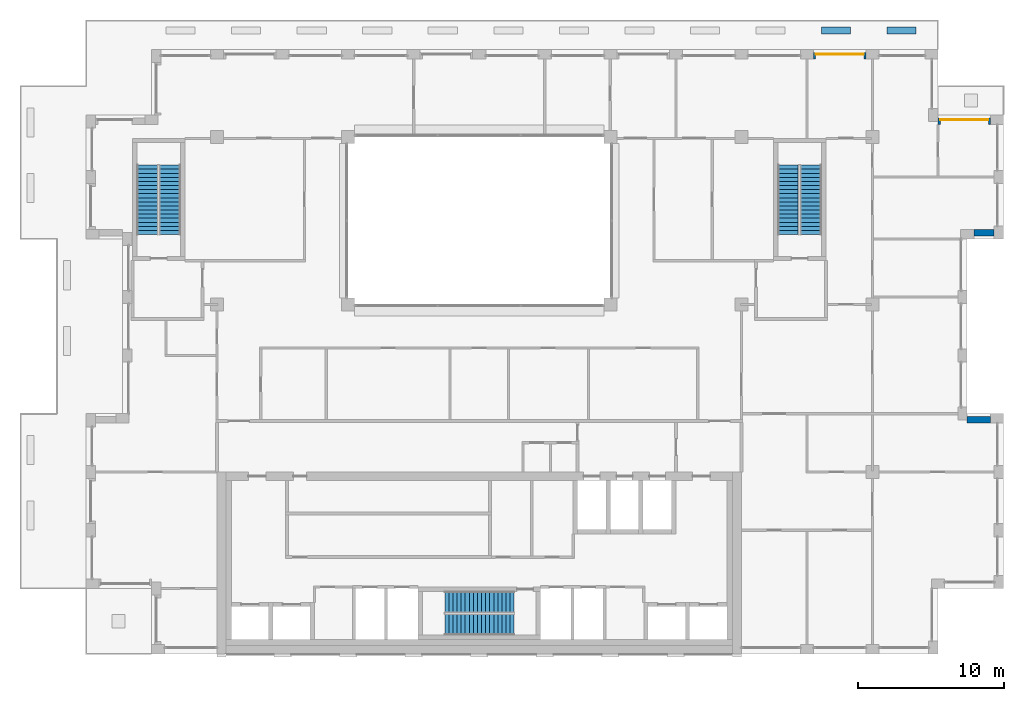
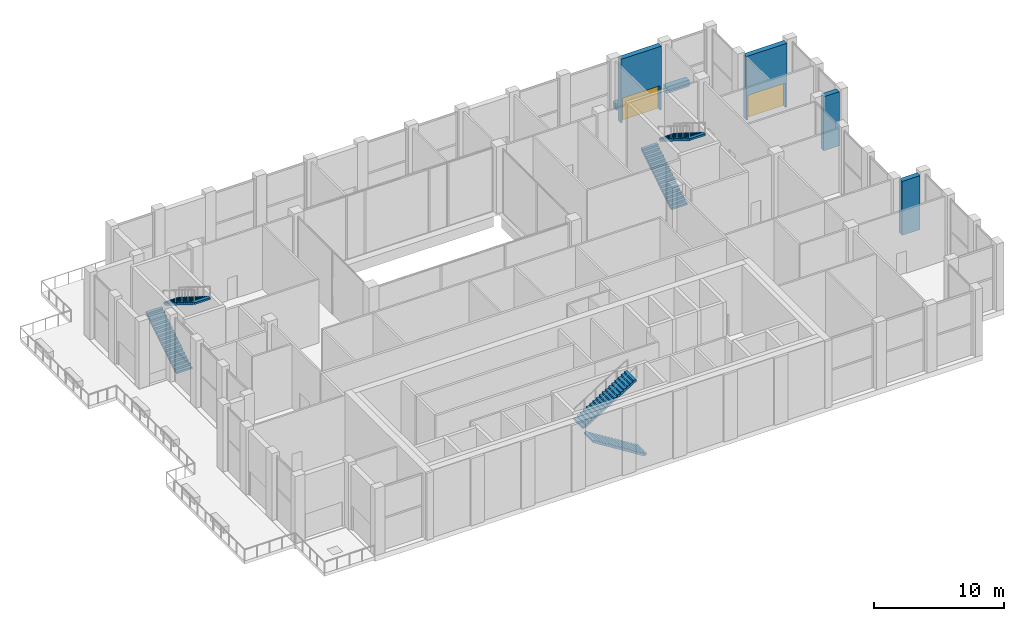
# One storey, part 16 of 18: 6 stair flights, 6 walls, 2 doors, 2 openings, 3 elements without a shape of their own.
"""IFC4 building model written with IfcOpenShell, lengths in metres."""

from ifc_helpers import new_model, si_unit, direction, frame, frame_2d, origin, place, context, subcontext, project, spatial, polyline, rectangle, outline, extrude, material, layer, layer_set, type_object, element, fill, aggregate, save


model = new_model("IFC4")

# Units and contexts
model_context = context("Model", 3, precision=1e-05, world=origin(), true_north=direction((0.0, 1.0)))
body_context = subcontext(model_context, "Body", "Model", "MODEL_VIEW")
ifc_project = project(units=[si_unit("LENGTHUNIT", "METRE"), si_unit("AREAUNIT", "SQUARE_METRE"), si_unit("VOLUMEUNIT", "CUBIC_METRE"), si_unit("PLANEANGLEUNIT", "RADIAN"), si_unit("MASSUNIT", "GRAM", prefix="KILO")], contexts=[model_context])

# Site, building, storey
site_placement = place(None, origin())
site = spatial("IfcSite", under=ifc_project, at=site_placement, CompositionType="ELEMENT")
building_placement = place(site_placement, origin())
building = spatial("IfcBuilding", under=site, at=building_placement, Name="Brigalow Station Residences", CompositionType="ELEMENT")
storey_placement = place(building_placement, frame((0.0, 0.0, 191.699951171875)))
storey = spatial("IfcBuildingStorey", under=building, at=storey_placement, Name="L55", CompositionType="ELEMENT", Elevation=191.699951171875)

# Walls
ifc_material_1 = material(Name="Clay brick masonry", Category="masonry")
ifc_layer_1 = layer(ifc_material_1, 0.449951171875)
ifc_layer_set_1 = layer_set([ifc_layer_1], Name="BRICK INFILL WALL 450")
wall_type_1 = type_object("IfcWallType", Name="BRICK INFILL WALL 450", PredefinedType="SOLIDWALL", material=ifc_layer_set_1)
wall_1_placement = place(storey_placement, frame((71.10009765625, 16.074951171875, 0.900146484375), z_axis=(0.0, 0.0, 1.0), x_axis=(-1.0, 0.0, 0.0)))
element("IfcWall", 1, at=wall_1_placement, inside=storey, type_object=wall_type_1, Name="L55/ewall/W-L55-11", PredefinedType="SOLIDWALL", context=body_context, shape_type="SweptSolid", body=[
    extrude(rectangle(XDim=1.60009765625, YDim=0.449951171875, at=frame_2d((0.800048828125, 0.0))), origin(), (0.0, 0.0, 1.0), 5.079833984375),
])
wall_2_placement = place(storey_placement, frame((69.949951171875, 28.925048828125, 0.900146484375), z_axis=(0.0, 0.0, 1.0), x_axis=(1.0, 0.0, 0.0)))
element("IfcWall", 2, at=wall_2_placement, inside=storey, type_object=wall_type_1, Name="L55/ewall/W-L55-15", PredefinedType="SOLIDWALL", context=body_context, shape_type="SweptSolid", body=[
    extrude(rectangle(XDim=1.400146484375, YDim=0.449951171875, at=frame_2d((0.7001953125, 0.0))), origin(), (0.0, 0.0, 1.0), 5.079833984375),
])

# Wall, opening, door
wall_3_placement = place(storey_placement, frame((71.10009765625, 36.574951171875, 0.0), z_axis=(0.0, 0.0, 1.0), x_axis=(-1.0, 0.0, 0.0)))
wall_3 = element("IfcWall", 3, at=wall_3_placement, inside=storey, type_object=wall_type_1, Name="L55/ewall/W-L55-18", PredefinedType="SOLIDWALL", context=body_context, shape_type="SweptSolid", body=[
    extrude(rectangle(XDim=3.60009765625, YDim=0.449951171875, at=frame_2d((1.800048828125, 0.0))), origin(), (0.0, 0.0, 1.0), 5.97998046875),
])
opening_1_placement = place(wall_3_placement, frame((0.14990234375, 0.0, 0.0)))
opening_1 = element("IfcOpeningElement", 4, at=opening_1_placement, cuts=wall_3, Name="Opening D-B3300", PredefinedType="OPENING", context=body_context, shape_type="SweptSolid", body=[
    extrude(rectangle(XDim=3.300048828125, YDim=2.300048828125, at=frame_2d((1.64990234375, 1.14990234375))), frame((0.0, 0.23486328125, 0.0), z_axis=(0.0, -1.0, 0.0), x_axis=(1.0, 0.0, 0.0)), (0.0, 0.0, 1.0), 0.469970703125),
])
ifc_material_2 = material(Name="Anodised aluminium frame with double glazing", Category="aluminium")
door_type = type_object("IfcDoorType", Name="BALCONY SLIDING DOOR 3300x2300", OperationType="SLIDING_TO_LEFT", PredefinedType="DOOR", material=ifc_material_2)
door_1_placement = place(opening_1_placement, origin())
door_1 = element("IfcDoor", 5, at=door_1_placement, inside=storey, type_object=door_type, Name="L55/balcony-door/W-L55-18", OperationType="SLIDING_TO_LEFT", OverallHeight=2.300048828125, OverallWidth=3.300048828125, PredefinedType="DOOR", context=body_context, shape_type="SweptSolid", body=[
    extrude(rectangle(XDim=3.300048828125, YDim=2.300048828125, at=frame_2d((1.64990234375, 1.14990234375))), frame((0.0, -0.06982421875, 0.0), z_axis=(0.0, -1.0, 0.0), x_axis=(1.0, 0.0, 0.0)), (0.0, 0.0, 1.0), 0.050048828125),
])
fill(opening_1, door_1)

wall_4_placement = place(storey_placement, frame((62.550048828125, 41.074951171875, 0.0), z_axis=(0.0, 0.0, 1.0), x_axis=(-1.0, 0.0, 0.0)))
wall_4 = element("IfcWall", 6, at=wall_4_placement, inside=storey, type_object=wall_type_1, Name="L55/ewall/W-L55-21", PredefinedType="SOLIDWALL", context=body_context, shape_type="SweptSolid", body=[
    extrude(rectangle(XDim=3.60009765625, YDim=0.449951171875, at=frame_2d((1.800048828125, 0.0))), origin(), (0.0, 0.0, 1.0), 5.97998046875),
])
opening_2_placement = place(wall_4_placement, frame((0.14990234375, 0.0, 0.0)))
opening_2 = element("IfcOpeningElement", 7, at=opening_2_placement, cuts=wall_4, Name="Opening D-B3300", PredefinedType="OPENING", context=body_context, shape_type="SweptSolid", body=[
    extrude(rectangle(XDim=3.300048828125, YDim=2.300048828125, at=frame_2d((1.64990234375, 1.14990234375))), frame((0.0, 0.23486328125, 0.0), z_axis=(0.0, -1.0, 0.0), x_axis=(1.0, 0.0, 0.0)), (0.0, 0.0, 1.0), 0.469970703125),
])
door_2_placement = place(opening_2_placement, origin())
door_2 = element("IfcDoor", 8, at=door_2_placement, inside=storey, type_object=door_type, Name="L55/balcony-door/W-L55-21", OperationType="SLIDING_TO_LEFT", OverallHeight=2.300048828125, OverallWidth=3.300048828125, PredefinedType="DOOR", context=body_context, shape_type="SweptSolid", body=[
    extrude(rectangle(XDim=3.300048828125, YDim=2.300048828125, at=frame_2d((1.64990234375, 1.14990234375))), frame((0.0, -0.06982421875, 0.0), z_axis=(0.0, -1.0, 0.0), x_axis=(1.0, 0.0, 0.0)), (0.0, 0.0, 1.0), 0.050048828125),
])
fill(opening_2, door_2)

# Walls
ifc_material_3 = material(Name="Concrete C50 precast", Category="concrete")
ifc_layer_2 = layer(ifc_material_3, 0.5)
ifc_layer_set_2 = layer_set([ifc_layer_2], Name="PLANTER 500x600")
wall_type_2 = type_object("IfcWallType", Name="PLANTER 500x600", PredefinedType="USERDEFINED", material=ifc_layer_set_2)
for number, where, z_axis, x_axis, name in (
    (9, (66.0, 42.800048828125, -0.0400390625), (0.0, 0.0, 1.0), (-1.0, 0.0, 0.0), "L55/planter/1-1"),
    (10, (61.5, 42.800048828125, -0.0400390625), (0.0, 0.0, 1.0), (-1.0, 0.0, 0.0), "L55/planter/1-2"),
):
    element("IfcWall", number, at=place(storey_placement, frame(where, z_axis=z_axis, x_axis=x_axis)), inside=storey, type_object=wall_type_2, Name=name, ObjectType="PLANTER", PredefinedType="USERDEFINED", context=body_context, shape_type="SweptSolid", body=[
        extrude(rectangle(XDim=2.0, YDim=0.5, at=frame_2d((1.0, 0.0))), origin(), (0.0, 0.0, 1.0), 0.60009765625),
    ])

# Stair, stair flights
ifc_material_4 = material(Name="Concrete C50", Category="concrete")
stair_type = type_object("IfcStairType", Name="EXIT STAIR 1400 2 FLIGHT", PredefinedType="HALF_TURN_STAIR", material=ifc_material_4)
stair_1_placement = place(storey_placement, origin())
stair_1 = element("IfcStair", 11, at=stair_1_placement, inside=storey, type_object=stair_type, Name="EXIT STAIR S2 L55", PredefinedType="HALF_TURN_STAIR")
ifc_material_5 = material(Name="Concrete C50", Category="concrete")
stair_flight_type = type_object("IfcStairFlightType", Name="STAIR FLIGHT 1400", PredefinedType="STRAIGHT", material=ifc_material_5)
stair_flight_1_placement = place(storey_placement, frame((38.39990234375, 2.0, 0.0), z_axis=(0.0, 0.0, 1.0), x_axis=(-1.0, 0.0, 0.0)))
stair_flight_1 = element("IfcStairFlight", 12, at=stair_flight_1_placement, type_object=stair_flight_type, Name="ST-2 flight 1", NumberOfRisers=18, NumberOfTreads=17, PredefinedType="STRAIGHT", RiserHeight=0.175, TreadLength=0.28, context=body_context, shape_type="SweptSolid", body=[
    extrude(outline(polyline([(0.0, 0.0), (0.0, 0.175048828125), (0.280029296875, 0.175048828125), (0.280029296875, 0.35009765625), (0.56005859375, 0.35009765625), (0.56005859375, 0.52490234375), (0.840087890625, 0.52490234375), (0.840087890625, 0.699951171875), (1.1201171875, 0.699951171875), (1.1201171875, 0.875), (1.39990234375, 0.875), (1.39990234375, 1.050048828125), (1.679931640625, 1.050048828125), (1.679931640625, 1.22509765625), (1.9599609375, 1.22509765625), (1.9599609375, 1.39990234375), (2.239990234375, 1.39990234375), (2.239990234375, 1.574951171875), (2.52001953125, 1.574951171875), (2.52001953125, 1.75), (2.800048828125, 1.75), (2.800048828125, 1.925048828125), (3.080078125, 1.925048828125), (3.080078125, 2.10009765625), (3.360107421875, 2.10009765625), (3.360107421875, 2.27490234375), (3.639892578125, 2.27490234375), (3.639892578125, 2.449951171875), (3.919921875, 2.449951171875), (3.919921875, 2.625), (4.199951171875, 2.625), (4.199951171875, 2.800048828125), (4.47998046875, 2.800048828125), (4.47998046875, 2.97509765625), (4.760009765625, 2.97509765625), (4.760009765625, 3.14990234375), (4.760009765625, 2.79833984375), (0.28271484375, 0.0), (0.0, 0.0)])), frame((0.0, 0.699951171875, 0.0), z_axis=(0.0, -1.0, 0.0), x_axis=(1.0, 0.0, 0.0)), (0.0, 0.0, 1.0), 1.39990234375),
])
stair_flight_2_placement = place(storey_placement, frame((33.639892578125, 3.60009765625, 3.150146484375), z_axis=(0.0, 0.0, 1.0), x_axis=(1.0, 0.0, 0.0)))
stair_flight_2 = element("IfcStairFlight", 13, at=stair_flight_2_placement, type_object=stair_flight_type, Name="ST-2 flight 2", NumberOfRisers=18, NumberOfTreads=17, PredefinedType="STRAIGHT", RiserHeight=0.175, TreadLength=0.28, context=body_context, shape_type="SweptSolid", body=[
    extrude(outline(polyline([(0.0, 0.0), (0.0, 0.175048828125), (0.280029296875, 0.175048828125), (0.280029296875, 0.35009765625), (0.56005859375, 0.35009765625), (0.56005859375, 0.52490234375), (0.840087890625, 0.52490234375), (0.840087890625, 0.699951171875), (1.1201171875, 0.699951171875), (1.1201171875, 0.875), (1.39990234375, 0.875), (1.39990234375, 1.050048828125), (1.679931640625, 1.050048828125), (1.679931640625, 1.22509765625), (1.9599609375, 1.22509765625), (1.9599609375, 1.39990234375), (2.239990234375, 1.39990234375), (2.239990234375, 1.574951171875), (2.52001953125, 1.574951171875), (2.52001953125, 1.75), (2.800048828125, 1.75), (2.800048828125, 1.925048828125), (3.080078125, 1.925048828125), (3.080078125, 2.10009765625), (3.360107421875, 2.10009765625), (3.360107421875, 2.27490234375), (3.639892578125, 2.27490234375), (3.639892578125, 2.449951171875), (3.919921875, 2.449951171875), (3.919921875, 2.625), (4.199951171875, 2.625), (4.199951171875, 2.800048828125), (4.47998046875, 2.800048828125), (4.47998046875, 2.97509765625), (4.760009765625, 2.97509765625), (4.760009765625, 3.14990234375), (4.760009765625, 2.79833984375), (0.28271484375, 0.0), (0.0, 0.0)])), frame((0.0, 0.699951171875, 0.0), z_axis=(0.0, -1.0, 0.0), x_axis=(1.0, 0.0, 0.0)), (0.0, 0.0, 1.0), 1.39990234375),
])
aggregate(stair_1, [stair_flight_1, stair_flight_2])

stair_2_placement = place(storey_placement, origin())
stair_2 = element("IfcStair", 14, at=stair_2_placement, inside=storey, type_object=stair_type, Name="EXIT STAIR S1 L55", PredefinedType="HALF_TURN_STAIR")
stair_flight_3_placement = place(storey_placement, frame((13.199951171875, 28.800048828125, 0.0), z_axis=(0.0, 0.0, 1.0), x_axis=(0.0, 1.0, 0.0)))
stair_flight_3 = element("IfcStairFlight", 15, at=stair_flight_3_placement, type_object=stair_flight_type, Name="ST-1 flight 1", NumberOfRisers=18, NumberOfTreads=17, PredefinedType="STRAIGHT", RiserHeight=0.175, TreadLength=0.28, context=body_context, shape_type="SweptSolid", body=[
    extrude(outline(polyline([(0.0, 0.0), (0.0, 0.175048828125), (0.280029296875, 0.175048828125), (0.280029296875, 0.35009765625), (0.56005859375, 0.35009765625), (0.56005859375, 0.52490234375), (0.840087890625, 0.52490234375), (0.840087890625, 0.699951171875), (1.1201171875, 0.699951171875), (1.1201171875, 0.875), (1.39990234375, 0.875), (1.39990234375, 1.050048828125), (1.679931640625, 1.050048828125), (1.679931640625, 1.22509765625), (1.9599609375, 1.22509765625), (1.9599609375, 1.39990234375), (2.239990234375, 1.39990234375), (2.239990234375, 1.574951171875), (2.52001953125, 1.574951171875), (2.52001953125, 1.75), (2.800048828125, 1.75), (2.800048828125, 1.925048828125), (3.080078125, 1.925048828125), (3.080078125, 2.10009765625), (3.360107421875, 2.10009765625), (3.360107421875, 2.27490234375), (3.639892578125, 2.27490234375), (3.639892578125, 2.449951171875), (3.919921875, 2.449951171875), (3.919921875, 2.625), (4.199951171875, 2.625), (4.199951171875, 2.800048828125), (4.47998046875, 2.800048828125), (4.47998046875, 2.97509765625), (4.760009765625, 2.97509765625), (4.760009765625, 3.14990234375), (4.760009765625, 2.79833984375), (0.28271484375, 0.0), (0.0, 0.0)])), frame((0.0, 0.699951171875, 0.0), z_axis=(0.0, -1.0, 0.0), x_axis=(1.0, 0.0, 0.0)), (0.0, 0.0, 1.0), 1.39990234375),
])
stair_flight_4_placement = place(storey_placement, frame((14.800048828125, 33.56005859375, 3.150146484375), z_axis=(0.0, 0.0, 1.0), x_axis=(0.0, -1.0, 0.0)))
stair_flight_4 = element("IfcStairFlight", 16, at=stair_flight_4_placement, type_object=stair_flight_type, Name="ST-1 flight 2", NumberOfRisers=18, NumberOfTreads=17, PredefinedType="STRAIGHT", RiserHeight=0.175, TreadLength=0.28, context=body_context, shape_type="SweptSolid", body=[
    extrude(outline(polyline([(0.0, 0.0), (0.0, 0.175048828125), (0.280029296875, 0.175048828125), (0.280029296875, 0.35009765625), (0.56005859375, 0.35009765625), (0.56005859375, 0.52490234375), (0.840087890625, 0.52490234375), (0.840087890625, 0.699951171875), (1.1201171875, 0.699951171875), (1.1201171875, 0.875), (1.39990234375, 0.875), (1.39990234375, 1.050048828125), (1.679931640625, 1.050048828125), (1.679931640625, 1.22509765625), (1.9599609375, 1.22509765625), (1.9599609375, 1.39990234375), (2.239990234375, 1.39990234375), (2.239990234375, 1.574951171875), (2.52001953125, 1.574951171875), (2.52001953125, 1.75), (2.800048828125, 1.75), (2.800048828125, 1.925048828125), (3.080078125, 1.925048828125), (3.080078125, 2.10009765625), (3.360107421875, 2.10009765625), (3.360107421875, 2.27490234375), (3.639892578125, 2.27490234375), (3.639892578125, 2.449951171875), (3.919921875, 2.449951171875), (3.919921875, 2.625), (4.199951171875, 2.625), (4.199951171875, 2.800048828125), (4.47998046875, 2.800048828125), (4.47998046875, 2.97509765625), (4.760009765625, 2.97509765625), (4.760009765625, 3.14990234375), (4.760009765625, 2.79833984375), (0.28271484375, 0.0), (0.0, 0.0)])), frame((0.0, 0.699951171875, 0.0), z_axis=(0.0, -1.0, 0.0), x_axis=(1.0, 0.0, 0.0)), (0.0, 0.0, 1.0), 1.39990234375),
])
aggregate(stair_2, [stair_flight_3, stair_flight_4])

stair_3_placement = place(storey_placement, origin())
stair_3 = element("IfcStair", 17, at=stair_3_placement, inside=storey, type_object=stair_type, Name="EXIT STAIR S3 L55", PredefinedType="HALF_TURN_STAIR")
stair_flight_5_placement = place(storey_placement, frame((57.199951171875, 28.800048828125, 0.0), z_axis=(0.0, 0.0, 1.0), x_axis=(0.0, 1.0, 0.0)))
stair_flight_5 = element("IfcStairFlight", 18, at=stair_flight_5_placement, type_object=stair_flight_type, Name="ST-3 flight 1", NumberOfRisers=18, NumberOfTreads=17, PredefinedType="STRAIGHT", RiserHeight=0.175, TreadLength=0.28, context=body_context, shape_type="SweptSolid", body=[
    extrude(outline(polyline([(0.0, 0.0), (0.0, 0.175048828125), (0.280029296875, 0.175048828125), (0.280029296875, 0.35009765625), (0.56005859375, 0.35009765625), (0.56005859375, 0.52490234375), (0.840087890625, 0.52490234375), (0.840087890625, 0.699951171875), (1.1201171875, 0.699951171875), (1.1201171875, 0.875), (1.39990234375, 0.875), (1.39990234375, 1.050048828125), (1.679931640625, 1.050048828125), (1.679931640625, 1.22509765625), (1.9599609375, 1.22509765625), (1.9599609375, 1.39990234375), (2.239990234375, 1.39990234375), (2.239990234375, 1.574951171875), (2.52001953125, 1.574951171875), (2.52001953125, 1.75), (2.800048828125, 1.75), (2.800048828125, 1.925048828125), (3.080078125, 1.925048828125), (3.080078125, 2.10009765625), (3.360107421875, 2.10009765625), (3.360107421875, 2.27490234375), (3.639892578125, 2.27490234375), (3.639892578125, 2.449951171875), (3.919921875, 2.449951171875), (3.919921875, 2.625), (4.199951171875, 2.625), (4.199951171875, 2.800048828125), (4.47998046875, 2.800048828125), (4.47998046875, 2.97509765625), (4.760009765625, 2.97509765625), (4.760009765625, 3.14990234375), (4.760009765625, 2.79833984375), (0.28271484375, 0.0), (0.0, 0.0)])), frame((0.0, 0.699951171875, 0.0), z_axis=(0.0, -1.0, 0.0), x_axis=(1.0, 0.0, 0.0)), (0.0, 0.0, 1.0), 1.39990234375),
])
stair_flight_6_placement = place(storey_placement, frame((58.800048828125, 33.56005859375, 3.150146484375), z_axis=(0.0, 0.0, 1.0), x_axis=(0.0, -1.0, 0.0)))
stair_flight_6 = element("IfcStairFlight", 19, at=stair_flight_6_placement, type_object=stair_flight_type, Name="ST-3 flight 2", NumberOfRisers=18, NumberOfTreads=17, PredefinedType="STRAIGHT", RiserHeight=0.175, TreadLength=0.28, context=body_context, shape_type="SweptSolid", body=[
    extrude(outline(polyline([(0.0, 0.0), (0.0, 0.175048828125), (0.280029296875, 0.175048828125), (0.280029296875, 0.35009765625), (0.56005859375, 0.35009765625), (0.56005859375, 0.52490234375), (0.840087890625, 0.52490234375), (0.840087890625, 0.699951171875), (1.1201171875, 0.699951171875), (1.1201171875, 0.875), (1.39990234375, 0.875), (1.39990234375, 1.050048828125), (1.679931640625, 1.050048828125), (1.679931640625, 1.22509765625), (1.9599609375, 1.22509765625), (1.9599609375, 1.39990234375), (2.239990234375, 1.39990234375), (2.239990234375, 1.574951171875), (2.52001953125, 1.574951171875), (2.52001953125, 1.75), (2.800048828125, 1.75), (2.800048828125, 1.925048828125), (3.080078125, 1.925048828125), (3.080078125, 2.10009765625), (3.360107421875, 2.10009765625), (3.360107421875, 2.27490234375), (3.639892578125, 2.27490234375), (3.639892578125, 2.449951171875), (3.919921875, 2.449951171875), (3.919921875, 2.625), (4.199951171875, 2.625), (4.199951171875, 2.800048828125), (4.47998046875, 2.800048828125), (4.47998046875, 2.97509765625), (4.760009765625, 2.97509765625), (4.760009765625, 3.14990234375), (4.760009765625, 2.79833984375), (0.28271484375, 0.0), (0.0, 0.0)])), frame((0.0, 0.699951171875, 0.0), z_axis=(0.0, -1.0, 0.0), x_axis=(1.0, 0.0, 0.0)), (0.0, 0.0, 1.0), 1.39990234375),
])
aggregate(stair_3, [stair_flight_5, stair_flight_6])

save(model, "model.ifc")
